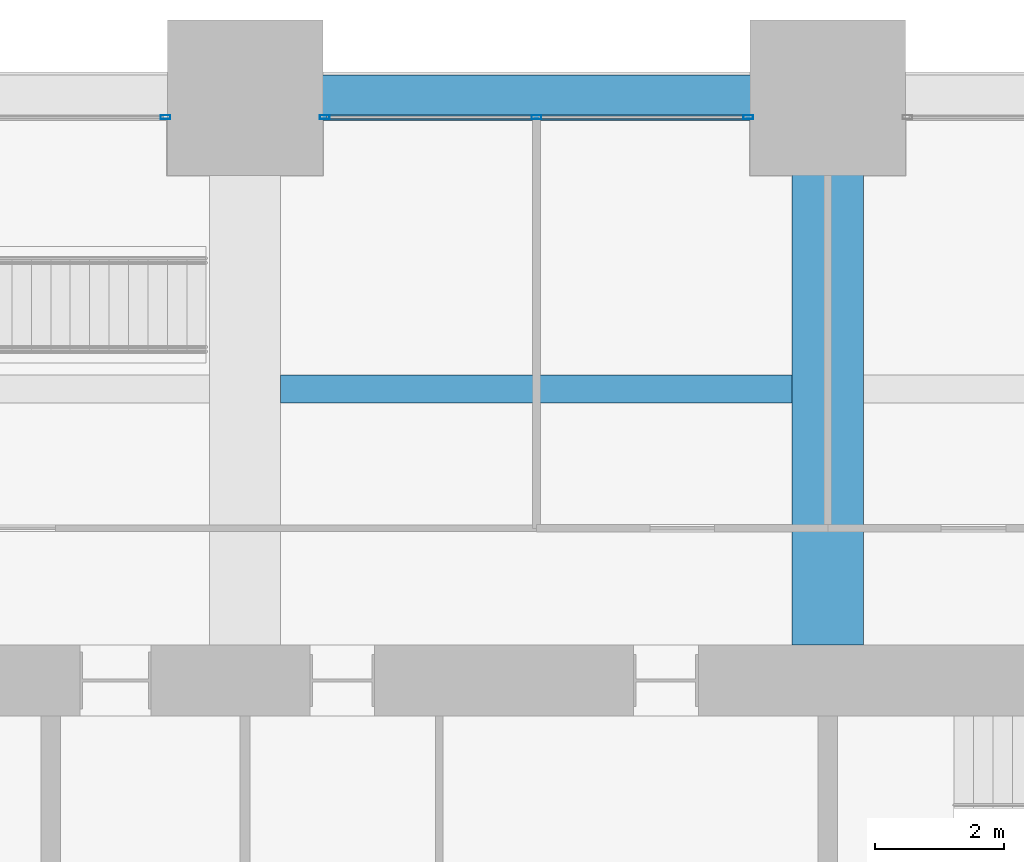
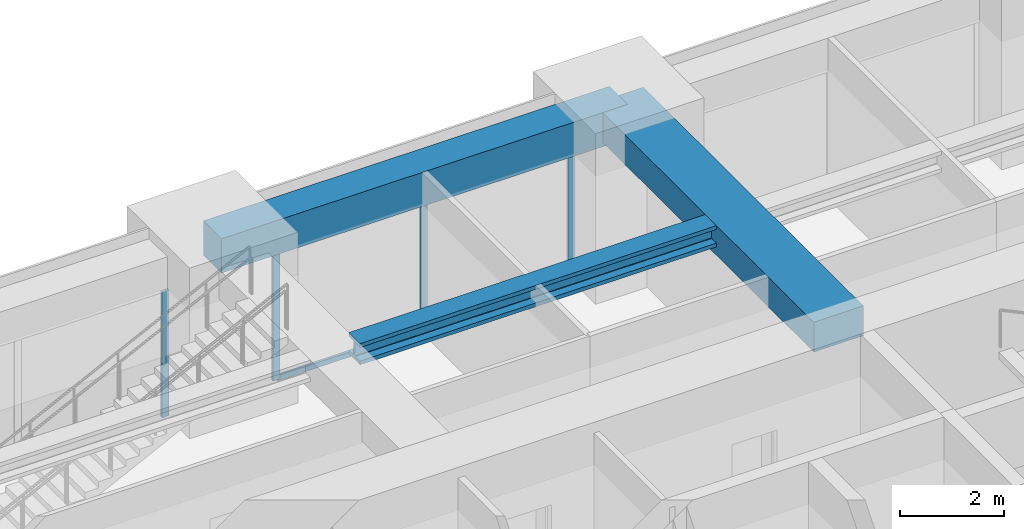
# One storey, part 25 of 33: 5 members, 3 beams, 2 elements without a shape of their own.
"""IFC4 building model written with IfcOpenShell, lengths in metres."""

from ifc_helpers import new_model, si_unit, direction, frame, origin, origin_2d, place, context, subcontext, project, spatial, rectangle, hollow_rectangle, i_section, extrude, material, material_profile, profile_set, type_object, element, aggregate, save


model = new_model("IFC4")

# Units and contexts
model_context = context("Model", 3, precision=1e-05, world=origin(), true_north=direction((0.0, 1.0)))
body_context = subcontext(model_context, "Body", "Model", "MODEL_VIEW")
ifc_project = project(units=[si_unit("LENGTHUNIT", "METRE"), si_unit("AREAUNIT", "SQUARE_METRE"), si_unit("VOLUMEUNIT", "CUBIC_METRE"), si_unit("PLANEANGLEUNIT", "RADIAN"), si_unit("MASSUNIT", "GRAM", prefix="KILO")], contexts=[model_context])

# Site, building, storey
site_placement = place(None, origin())
site = spatial("IfcSite", under=ifc_project, at=site_placement, CompositionType="ELEMENT")
building_placement = place(site_placement, origin())
building = spatial("IfcBuilding", under=site, at=building_placement, Name="Zorevar Civic Tower", CompositionType="ELEMENT")
storey_placement = place(building_placement, frame((0.0, 0.0, 194.199951171875)))
storey = spatial("IfcBuildingStorey", under=building, at=storey_placement, Name="L47", CompositionType="ELEMENT", Elevation=194.199951171875)

# Beam
ifc_material_1 = material(Name="Concrete C50/60", Category="concrete")
ifc_material_profile_1 = material_profile(ifc_material_1, rectangle(XDim=1.10009765625, YDim=0.699951171875, at=origin_2d()), Name="RC 1100x700")
ifc_profile_set_1 = profile_set([ifc_material_profile_1], Name="Concrete C50/60")
beam_type_1 = type_object("IfcBeamType", Name="Beam RC 1100x700", PredefinedType="BEAM", material=ifc_profile_set_1)
beam_1_placement = place(storey_placement, frame((36.0, 36.550048828125, 3.400146484375), z_axis=(0.0, 1.0, 0.0), x_axis=(-1.0, 0.0, 0.0)))
element("IfcBeam", 1, at=beam_1_placement, inside=storey, type_object=beam_type_1, Name="Girder L48", PredefinedType="BEAM", context=body_context, shape_type="SweptSolid", body=[
    extrude(rectangle(XDim=1.10009765625, YDim=0.699951171875, at=origin_2d()), origin(), (0.0, 0.0, 1.0), 8.449951171875),
])

# Curtain wall, member
ifc_material_2 = material(Name="Dark grey solar-control glass in black aluminium frame", Category="aluminium")
curtain_wall_type = type_object("IfcCurtainWallType", Name="Curtain wall CW4 high zone", PredefinedType="NOTDEFINED", material=ifc_material_2)
curtain_wall_1_placement = place(storey_placement, origin())
curtain_wall_1 = element("IfcCurtainWall", 2, at=curtain_wall_1_placement, inside=storey, type_object=curtain_wall_type, Name="CW4 L47", PredefinedType="NOTDEFINED")
ifc_material_3 = material(Name="Aluminium, black anodised", Category="aluminium")
ifc_material_profile_2 = material_profile(ifc_material_3, hollow_rectangle(XDim=0.06005859375, YDim=0.14990234375, WallThickness=0.00390625, at=origin_2d()), Name="AL 150x60x4")
ifc_profile_set_2 = profile_set([ifc_material_profile_2], Name="Aluminium, black anodised")
member_type_1 = type_object("IfcMemberType", Name="CW4 mullion AL 150x60x4", PredefinedType="MULLION", material=ifc_profile_set_2)
member_1_placement = place(storey_placement, frame((25.77001953125, 44.699951171875, 0.0), z_axis=(0.0, 0.0, 1.0), x_axis=(0.0, 1.0, 0.0)))
member_1 = element("IfcMember", 3, at=member_1_placement, type_object=member_type_1, Name="CW4 mullion 3", PredefinedType="MULLION", context=body_context, shape_type="SweptSolid", body=[
    extrude(hollow_rectangle(XDim=0.06005859375, YDim=0.14990234375, WallThickness=0.00390625, at=origin_2d()), origin(), (0.0, 0.0, 1.0), 2.949951171875),
])
aggregate(curtain_wall_1, [member_1])

# Curtain wall, members
curtain_wall_2_placement = place(storey_placement, origin())
curtain_wall_2 = element("IfcCurtainWall", 4, at=curtain_wall_2_placement, inside=storey, type_object=curtain_wall_type, Name="CW4 L47", PredefinedType="NOTDEFINED")
member_2_placement = place(storey_placement, frame((28.22998046875, 44.699951171875, 0.0), z_axis=(0.0, 0.0, 1.0), x_axis=(0.0, 1.0, 0.0)))
member_2 = element("IfcMember", 5, at=member_2_placement, type_object=member_type_1, Name="CW4 mullion 1", PredefinedType="MULLION", context=body_context, shape_type="SweptSolid", body=[
    extrude(hollow_rectangle(XDim=0.06005859375, YDim=0.14990234375, WallThickness=0.00390625, at=origin_2d()), origin(), (0.0, 0.0, 1.0), 2.949951171875),
])
member_3_placement = place(storey_placement, frame((31.5, 44.699951171875, 0.06005859375), z_axis=(0.0, 0.0, 1.0), x_axis=(0.0, 1.0, 0.0)))
member_3 = element("IfcMember", 6, at=member_3_placement, type_object=member_type_1, Name="CW4 mullion 2", PredefinedType="MULLION", context=body_context, shape_type="SweptSolid", body=[
    extrude(hollow_rectangle(XDim=0.06005859375, YDim=0.14990234375, WallThickness=0.00390625, at=origin_2d()), origin(), (0.0, 0.0, 1.0), 2.889892578125),
])
member_4_placement = place(storey_placement, frame((34.77001953125, 44.699951171875, 0.0), z_axis=(0.0, 0.0, 1.0), x_axis=(0.0, 1.0, 0.0)))
member_4 = element("IfcMember", 7, at=member_4_placement, type_object=member_type_1, Name="CW4 mullion 3", PredefinedType="MULLION", context=body_context, shape_type="SweptSolid", body=[
    extrude(hollow_rectangle(XDim=0.06005859375, YDim=0.14990234375, WallThickness=0.00390625, at=origin_2d()), origin(), (0.0, 0.0, 1.0), 2.949951171875),
])
ifc_material_4 = material(Name="Aluminium, black anodised", Category="aluminium")
ifc_material_profile_3 = material_profile(ifc_material_4, hollow_rectangle(XDim=0.06005859375, YDim=0.1201171875, WallThickness=0.0029296875, at=origin_2d()), Name="AL 120x60x3")
ifc_profile_set_3 = profile_set([ifc_material_profile_3], Name="Aluminium, black anodised")
member_type_2 = type_object("IfcMemberType", Name="CW4 transom AL 120x60x3", PredefinedType="USERDEFINED", material=ifc_profile_set_3)
member_5_placement = place(storey_placement, frame((28.260009765625, 44.699951171875, 0.030029296875), z_axis=(1.0, 0.0, 0.0), x_axis=(0.0, 1.0, 0.0)))
member_5 = element("IfcMember", 8, at=member_5_placement, type_object=member_type_2, Name="CW4 sill transom", ObjectType="TRANSOM", PredefinedType="USERDEFINED", context=body_context, shape_type="SweptSolid", body=[
    extrude(hollow_rectangle(XDim=0.06005859375, YDim=0.1201171875, WallThickness=0.0029296875, at=origin_2d()), origin(), (0.0, 0.0, 1.0), 6.47998046875),
])
aggregate(curtain_wall_2, [member_2, member_3, member_4, member_5])

# Beams
ifc_material_5 = material(Name="Steel S460M (HISTAR 460)", Category="steel")
ifc_material_profile_4 = material_profile(ifc_material_5, i_section(OverallWidth=0.431884765625, OverallDepth=0.498046875, WebThickness=0.0556640625, FlangeThickness=0.0888671875, FilletRadius=0.014892578125, at=origin_2d()), Name="HD 400x744")
ifc_profile_set_4 = profile_set([ifc_material_profile_4], Name="Steel S460M (HISTAR 460)")
beam_type_2 = type_object("IfcBeamType", Name="Core bay beam HD 400x744", PredefinedType="BEAM", material=ifc_profile_set_4)
beam_2_placement = place(storey_placement, frame((27.550048828125, 40.5, 3.5009765625), z_axis=(1.0, 0.0, 0.0), x_axis=(0.0, 1.0, 0.0)))
element("IfcBeam", 9, at=beam_2_placement, inside=storey, type_object=beam_type_2, Name="Secondary beam L48", PredefinedType="BEAM", context=body_context, shape_type="SweptSolid", body=[
    extrude(i_section(OverallWidth=0.431884765625, OverallDepth=0.498046875, WebThickness=0.0556640625, FlangeThickness=0.0888671875, FilletRadius=0.014892578125, at=origin_2d()), origin(), (0.0, 0.0, 1.0), 7.89990234375),
])
ifc_material_6 = material(Name="Concrete C50/60", Category="concrete")
ifc_material_profile_5 = material_profile(ifc_material_6, rectangle(XDim=0.699951171875, YDim=0.800048828125, at=origin_2d()), Name="RC 700x800")
ifc_profile_set_5 = profile_set([ifc_material_profile_5], Name="Concrete C50/60")
beam_type_3 = type_object("IfcBeamType", Name="Edge beam RC 700x800", PredefinedType="SPANDREL", material=ifc_profile_set_5)
beam_3_placement = place(storey_placement, frame((27.0, 45.0, 3.35009765625), z_axis=(1.0, 0.0, 0.0), x_axis=(0.0, 1.0, 0.0)))
element("IfcBeam", 10, at=beam_3_placement, inside=storey, type_object=beam_type_3, Name="Edge beam L48", PredefinedType="SPANDREL", context=body_context, shape_type="SweptSolid", body=[
    extrude(rectangle(XDim=0.699951171875, YDim=0.800048828125, at=origin_2d()), origin(), (0.0, 0.0, 1.0), 9.0),
])

save(model, "model.ifc")
